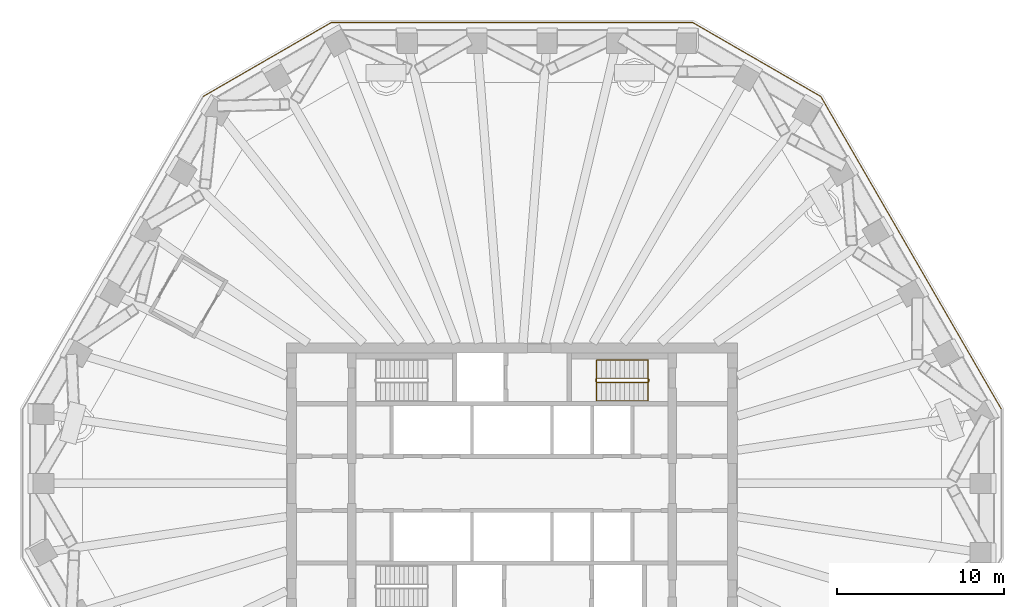
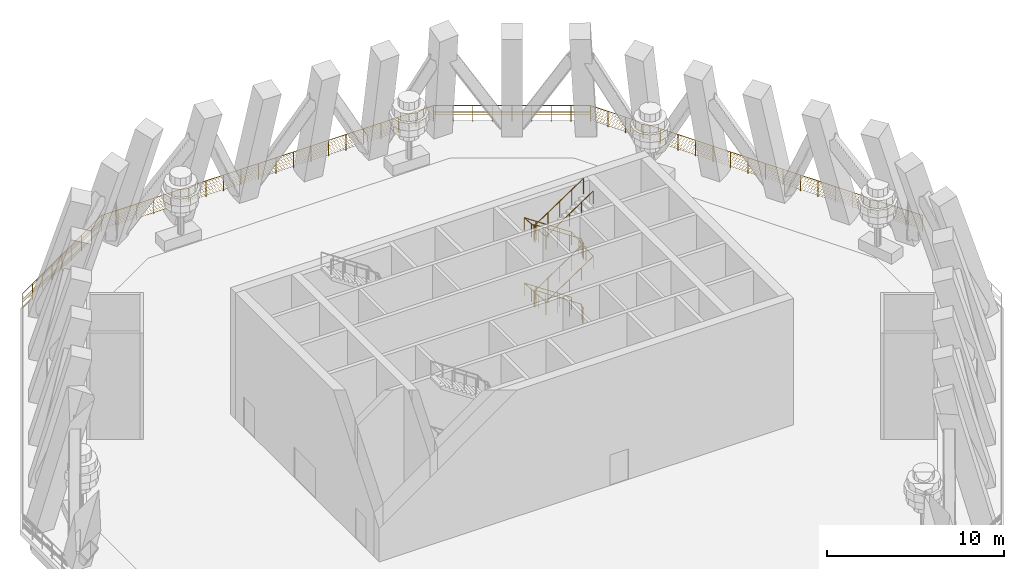
# One storey, part 9 of 11: 6 railings.
"""IFC4 building model written with IfcOpenShell, lengths in metres."""

import ifcopenshell
import ifcopenshell.guid

model = None  # the IFC model being written
_history = None  # IfcOwnerHistory: only IFC2X3 demands one
_inside = {}  # id of a spatial element -> (the spatial element, [elements in it])
_under = {}  # id of a project, library or spatial element -> (it, [spatial elements below it])
_declared = {}  # id of a project -> (the project, [libraries it declares])
_typed = {}  # id of a type object -> (the type object, [elements of that type])
_made_of = {}  # id of a material, layer set ... -> (it, [elements and type objects made of it])


def new_model(schema):
    """Start an empty IFC model of exactly this schema.

    Asked for "IFC4X3", IfcOpenShell would pick the latest addendum, in which some entities
    have other attributes; the version numbers below select the first issue.
    IFC2X3 requires an IfcOwnerHistory on every rooted entity: one is made here for all.
    """
    global model, _history
    if schema == "IFC4X3":
        model = ifcopenshell.file(schema_version=(4, 3, 0, 0))
    else:
        model = ifcopenshell.file(schema=schema)
    _inside.clear()
    _under.clear()
    _declared.clear()
    _typed.clear()
    _made_of.clear()
    _history = None
    if model.schema == "IFC2X3":
        org = make("IfcOrganization", Name="unknown")
        user = make(
            "IfcPersonAndOrganization",
            ThePerson=make("IfcPerson", FamilyName="unknown"),
            TheOrganization=org,
        )
        app = make(
            "IfcApplication",
            ApplicationDeveloper=org,
            Version="unknown",
            ApplicationFullName="unknown",
            ApplicationIdentifier="unknown",
        )
        _history = make(
            "IfcOwnerHistory",
            OwningUser=user,
            OwningApplication=app,
            ChangeAction="ADDED",
            CreationDate=0,
        )
    return model


def make(cls, **values):
    """One entity of the class cls with the attributes given. An attribute that is None is left unset."""
    return model.create_entity(
        cls, **{name: value for name, value in values.items() if value is not None}
    )


def rooted(cls, **values):
    """An entity with a GlobalId (a new one), such as an element, a storey or a relation."""
    return make(cls, GlobalId=ifcopenshell.guid.new(), OwnerHistory=_history, **values)


def si_unit(unit_type, name, prefix=None):
    """IfcSIUnit, for example si_unit("LENGTHUNIT", "METRE", prefix="MILLI")."""
    return make("IfcSIUnit", UnitType=unit_type, Prefix=prefix, Name=name)


def assignment(units):
    """IfcUnitAssignment: the units of a project."""
    return None if units is None else make("IfcUnitAssignment", Units=units)


def point(xyz):
    """IfcCartesianPoint."""
    return None if xyz is None else make("IfcCartesianPoint", Coordinates=xyz)


def direction(xyz):
    """IfcDirection."""
    return None if xyz is None else make("IfcDirection", DirectionRatios=xyz)


def frame(location, z_axis=None, x_axis=None):
    """IfcAxis2Placement3D, a coordinate frame: its origin and axes. An axis left out is left unset."""
    return make(
        "IfcAxis2Placement3D",
        Location=point(location),
        Axis=direction(z_axis),
        RefDirection=direction(x_axis),
    )


def frame_2d(location, x_axis=None):
    """IfcAxis2Placement2D, a coordinate frame in the plane: its origin and x axis."""
    return make(
        "IfcAxis2Placement2D", Location=point(location), RefDirection=direction(x_axis)
    )


def origin():
    """The frame at (0, 0, 0) with its axes left unset."""
    return frame((0.0, 0.0, 0.0))


def origin_2d():
    """The frame at (0, 0) in the plane with its x axis left unset."""
    return frame_2d((0.0, 0.0))


def place(relative_to, where):
    """IfcLocalPlacement: puts the frame where relative to a parent placement (None: the world)."""
    return make(
        "IfcLocalPlacement", PlacementRelTo=relative_to, RelativePlacement=where
    )


def context(
    kind, dimensions, precision=None, world=None, true_north=None, identifier=None
):
    """IfcGeometricRepresentationContext, for example the 3D "Model" context."""
    return make(
        "IfcGeometricRepresentationContext",
        ContextIdentifier=identifier,
        ContextType=kind,
        CoordinateSpaceDimension=dimensions,
        Precision=precision,
        WorldCoordinateSystem=world,
        TrueNorth=true_north,
    )


def subcontext(parent, identifier, kind, view, scale=None):
    """IfcGeometricRepresentationSubContext, for example "Body" below "Model"."""
    return make(
        "IfcGeometricRepresentationSubContext",
        ContextIdentifier=identifier,
        ContextType=kind,
        ParentContext=parent,
        TargetScale=scale,
        TargetView=view,
    )


def project(units=None, contexts=None):
    """IfcProject with its units and contexts."""
    return rooted(
        "IfcProject",
        Name="project",
        RepresentationContexts=contexts,
        UnitsInContext=assignment(units),
    )


def spatial(cls, under=None, at=None, **own):
    """A site, building, storey or space (cls), placed at a placement, below another one or the project."""
    s = rooted(cls, ObjectPlacement=at, **own)
    if under is not None:
        _under.setdefault(under.id(), (under, []))[1].append(s)
    return s


def profile(cls, at=None, kind="AREA", **sizes):
    """A parametric profile (cls). Its sizes go by their IFC names, for example OverallWidth=200.0."""
    return make(cls, ProfileType=kind, Position=at, **sizes)


def circle(**sizes):
    """IfcCircleProfileDef."""
    return profile("IfcCircleProfileDef", **sizes)


def extrude(swept, where, along, depth):
    """IfcExtrudedAreaSolid: the profile swept, set in the frame where, extruded along a direction by depth."""
    return make(
        "IfcExtrudedAreaSolid",
        SweptArea=swept,
        Position=where,
        ExtrudedDirection=direction(along),
        Depth=depth,
    )


def shape(context_of_items, identifier, shape_type, items):
    """IfcShapeRepresentation: the items that make up one representation, for example the "Body"."""
    return make(
        "IfcShapeRepresentation",
        ContextOfItems=context_of_items,
        RepresentationIdentifier=identifier,
        RepresentationType=shape_type,
        Items=items,
    )


def material(Name=None, Category=None):
    """IfcMaterial."""
    return make("IfcMaterial", Name=Name, Category=Category)


def made_of(thing, what):
    """Note that an element or type object is made of a material, layer set ...; save() writes the relation."""
    if what is not None:
        _made_of.setdefault(what.id(), (what, []))[1].append(thing)
    return thing


def type_object(cls, material=None, **own):
    """A type object (cls), such as IfcWallType, which elements share."""
    return made_of(rooted(cls, **own), material)


def element(
    cls,
    number,
    at=None,
    inside=None,
    cuts=None,
    type_object=None,
    material=None,
    context=None,
    identifier="Body",
    shape_type=None,
    held_by="IfcProductDefinitionShape",
    body=None,
    shapes=None,
    **own,
):
    """One element of the class cls, such as IfcWall. Its Tag is "e" and its number.

    at: its placement. inside: the storey or other place that contains it. cuts: it is an
    opening in that element (IfcRelVoidsElement). A single representation is given by context,
    identifier, shape_type and body (its items); several are given by shapes. held_by: the class
    of the entity that holds the representations. save() writes the other relations.
    """
    e = rooted(cls, Tag="e%d" % number, ObjectPlacement=at, **own)
    if body is not None:
        shapes = [shape(context, identifier, shape_type, body)]
    if shapes is not None:
        e.Representation = make(held_by, Representations=shapes)
    if inside is not None:
        _inside.setdefault(inside.id(), (inside, []))[1].append(e)
    if cuts is not None:
        rooted(
            "IfcRelVoidsElement", RelatingBuildingElement=cuts, RelatedOpeningElement=e
        )
    if type_object is not None:
        _typed.setdefault(type_object.id(), (type_object, []))[1].append(e)
    return made_of(e, material)


def aggregate(whole, parts):
    """IfcRelAggregates: a whole, such as a stair, and the parts it consists of."""
    return rooted("IfcRelAggregates", RelatingObject=whole, RelatedObjects=parts)


def save(model, path):
    """Write the relations noted so far, then the file.

    IfcRelAggregates (storeys below a building ...), IfcRelContainedInSpatialStructure (elements
    in a storey), IfcRelDefinesByType, IfcRelAssociatesMaterial and IfcRelDeclares: one each for
    every whole, place, type object, material and project.
    """
    for whole, parts in _under.values():
        aggregate(whole, parts)
    for where, things in _inside.values():
        rooted(
            "IfcRelContainedInSpatialStructure",
            RelatedElements=things,
            RelatingStructure=where,
        )
    for kind, things in _typed.values():
        rooted("IfcRelDefinesByType", RelatedObjects=things, RelatingType=kind)
    for what, things in _made_of.values():
        rooted("IfcRelAssociatesMaterial", RelatedObjects=things, RelatingMaterial=what)
    for by, libraries in _declared.values():
        rooted("IfcRelDeclares", RelatingContext=by, RelatedDefinitions=libraries)
    model.write(path)


model = new_model("IFC4")

# Units and contexts
model_context = context("Model", 3, precision=1e-05, world=origin(), true_north=direction((0.0, 1.0)))
body_context = subcontext(model_context, "Body", "Model", "MODEL_VIEW")
ifc_project = project(units=[si_unit("LENGTHUNIT", "METRE"), si_unit("AREAUNIT", "SQUARE_METRE"), si_unit("VOLUMEUNIT", "CUBIC_METRE"), si_unit("PLANEANGLEUNIT", "RADIAN"), si_unit("MASSUNIT", "GRAM", prefix="KILO")], contexts=[model_context])

# Site, building, storey
site_placement = place(None, origin())
site = spatial("IfcSite", under=ifc_project, at=site_placement, CompositionType="ELEMENT")
building_placement = place(site_placement, origin())
building = spatial("IfcBuilding", under=site, at=building_placement, Name="Frailejon Research Tower", CompositionType="ELEMENT")
storey_placement = place(building_placement, frame((0.0, 0.0, 202.39990234375)))
storey = spatial("IfcBuildingStorey", under=building, at=storey_placement, Name="L44", CompositionType="ELEMENT", Elevation=202.39990234375)

# Railings
ifc_material_1 = material(Name="Stainless steel", Category="steel")
railing_type_1 = type_object("IfcRailingType", Name="Stair guard 1100", PredefinedType="GUARDRAIL", material=ifc_material_1)
railing_1_placement = place(storey_placement, frame((8.199951171875, 6.10009765625, 0.0)))
element("IfcRailing", 1, at=railing_1_placement, inside=storey, type_object=railing_type_1, Name="L44 ST3 stair guard 1", PredefinedType="GUARDRAIL", context=body_context, shape_type="SweptSolid", body=[
    extrude(circle(Radius=0.02392578125, at=origin_2d()), frame((0.0, 0.0, 1.076171875), z_axis=(0.0, 1.0, 0.0), x_axis=(-1.0, 0.0, 0.0)), (0.0, 0.0, 1.0), 0.14990234375),
    extrude(circle(Radius=0.02392578125, at=origin_2d()), frame((0.0, 0.14990234375, 1.076171875), z_axis=(-0.249726431254, 0.249726431254, 0.935560483917), x_axis=(-0.707106781187, -0.707106781187, 0.0)), (0.0, 0.0, 1.0), 0.200439453125),
    extrude(circle(Radius=0.02392578125, at=origin_2d()), frame((-0.050048828125, 0.199951171875, 1.263671875), z_axis=(-0.830893310487, 0.0, 0.556431762742), x_axis=(0.0, -1.0, 0.0)), (0.0, 0.0, 1.0), 3.70654296875),
    extrude(circle(Radius=0.02392578125, at=origin_2d()), frame((-3.1298828125, 0.199951171875, 3.326171875), z_axis=(-0.707106781187, -0.707106781187, 0.0), x_axis=(0.707106781187, -0.707106781187, 0.0)), (0.0, 0.0, 1.0), 0.07080078125),
    extrude(circle(Radius=0.02392578125, at=origin_2d()), frame((-3.179931640625, 0.14990234375, 3.326171875), z_axis=(0.0, -1.0, 0.0), x_axis=(1.0, 0.0, 0.0)), (0.0, 0.0, 1.0), 0.14990234375),
    extrude(circle(Radius=0.02392578125, at=origin_2d()), frame((-3.179931640625, 0.0, 3.326171875), z_axis=(0.249726431254, -0.249726431254, 0.935560483917), x_axis=(0.707106781187, 0.707106781187, 0.0)), (0.0, 0.0, 1.0), 0.200439453125),
    extrude(circle(Radius=0.02392578125, at=origin_2d()), frame((-3.1298828125, -0.050048828125, 3.513671875), z_axis=(0.830893310487, 0.0, 0.556431762742), x_axis=(0.0, 1.0, 0.0)), (0.0, 0.0, 1.0), 3.70654296875),
    extrude(circle(Radius=0.02392578125, at=origin_2d()), frame((-0.050048828125, -0.050048828125, 5.576171875), z_axis=(0.707106781187, 0.707106781187, 0.0), x_axis=(-0.707106781187, 0.707106781187, 0.0)), (0.0, 0.0, 1.0), 0.07080078125),
    extrude(circle(Radius=0.02392578125, at=origin_2d()), frame((0.0, 0.0, 5.576171875), z_axis=(0.0, 1.0, 0.0), x_axis=(-1.0, 0.0, 0.0)), (0.0, 0.0, 1.0), 0.14990234375),
    extrude(circle(Radius=0.02392578125, at=origin_2d()), frame((0.0, 0.14990234375, 5.576171875), z_axis=(-0.249726431254, 0.249726431254, 0.935560483917), x_axis=(-0.707106781187, -0.707106781187, 0.0)), (0.0, 0.0, 1.0), 0.200439453125),
    extrude(circle(Radius=0.02392578125, at=origin_2d()), frame((-0.050048828125, 0.199951171875, 5.763671875), z_axis=(-0.830893310487, 0.0, 0.556431762742), x_axis=(0.0, -1.0, 0.0)), (0.0, 0.0, 1.0), 3.70654296875),
    extrude(circle(Radius=0.02392578125, at=origin_2d()), frame((-3.1298828125, 0.199951171875, 7.826171875), z_axis=(-0.707106781187, -0.707106781187, 0.0), x_axis=(0.707106781187, -0.707106781187, 0.0)), (0.0, 0.0, 1.0), 0.07080078125),
    extrude(circle(Radius=0.02392578125, at=origin_2d()), frame((-3.179931640625, 0.14990234375, 7.826171875), z_axis=(0.0, -1.0, 0.0), x_axis=(1.0, 0.0, 0.0)), (0.0, 0.0, 1.0), 0.14990234375),
    extrude(circle(Radius=0.02392578125, at=origin_2d()), frame((-3.179931640625, 0.0, 7.826171875), z_axis=(0.249726431254, -0.249726431254, 0.935560483917), x_axis=(0.707106781187, 0.707106781187, 0.0)), (0.0, 0.0, 1.0), 0.200439453125),
    extrude(circle(Radius=0.02392578125, at=origin_2d()), frame((-3.1298828125, -0.050048828125, 8.013671875), z_axis=(0.830893310487, 0.0, 0.556431762742), x_axis=(0.0, 1.0, 0.0)), (0.0, 0.0, 1.0), 3.70654296875),
    extrude(circle(Radius=0.02099609375, at=origin_2d()), origin(), (0.0, 0.0, 1.0), 1.052001953125),
    extrude(circle(Radius=0.02099609375, at=origin_2d()), frame((0.0, 0.14990234375, 0.0)), (0.0, 0.0, 1.0), 1.052001953125),
    extrude(circle(Radius=0.02099609375, at=origin_2d()), frame((-0.050048828125, 0.199951171875, 0.1875)), (0.0, 0.0, 1.0), 1.052001953125),
    extrude(circle(Radius=0.02099609375, at=origin_2d()), frame((-0.820068359375, 0.199951171875, 0.703125)), (0.0, 0.0, 1.0), 1.052001953125),
    extrude(circle(Radius=0.02099609375, at=origin_2d()), frame((-1.58984375, 0.199951171875, 1.21875)), (0.0, 0.0, 1.0), 1.052001953125),
    extrude(circle(Radius=0.02099609375, at=origin_2d()), frame((-2.35986328125, 0.199951171875, 1.734375)), (0.0, 0.0, 1.0), 1.052001953125),
    extrude(circle(Radius=0.02099609375, at=origin_2d()), frame((-3.1298828125, 0.199951171875, 2.25)), (0.0, 0.0, 1.0), 1.052001953125),
    extrude(circle(Radius=0.02099609375, at=origin_2d()), frame((-3.179931640625, 0.14990234375, 2.25)), (0.0, 0.0, 1.0), 1.052001953125),
    extrude(circle(Radius=0.02099609375, at=origin_2d()), frame((-3.179931640625, 0.0, 2.25)), (0.0, 0.0, 1.0), 1.052001953125),
    extrude(circle(Radius=0.02099609375, at=origin_2d()), frame((-3.1298828125, -0.050048828125, 2.4375)), (0.0, 0.0, 1.0), 1.052001953125),
    extrude(circle(Radius=0.02099609375, at=origin_2d()), frame((-2.35986328125, -0.050048828125, 2.953125)), (0.0, 0.0, 1.0), 1.052001953125),
    extrude(circle(Radius=0.02099609375, at=origin_2d()), frame((-1.58984375, -0.050048828125, 3.46875)), (0.0, 0.0, 1.0), 1.052001953125),
    extrude(circle(Radius=0.02099609375, at=origin_2d()), frame((-0.820068359375, -0.050048828125, 3.984375)), (0.0, 0.0, 1.0), 1.052001953125),
    extrude(circle(Radius=0.02099609375, at=origin_2d()), frame((-0.050048828125, -0.050048828125, 4.5)), (0.0, 0.0, 1.0), 1.052001953125),
    extrude(circle(Radius=0.02099609375, at=origin_2d()), frame((0.0, 0.0, 4.5)), (0.0, 0.0, 1.0), 1.052001953125),
    extrude(circle(Radius=0.02099609375, at=origin_2d()), frame((0.0, 0.14990234375, 4.5)), (0.0, 0.0, 1.0), 1.052001953125),
    extrude(circle(Radius=0.02099609375, at=origin_2d()), frame((-0.050048828125, 0.199951171875, 4.6875)), (0.0, 0.0, 1.0), 1.052001953125),
    extrude(circle(Radius=0.02099609375, at=origin_2d()), frame((-0.820068359375, 0.199951171875, 5.203125)), (0.0, 0.0, 1.0), 1.052001953125),
    extrude(circle(Radius=0.02099609375, at=origin_2d()), frame((-1.58984375, 0.199951171875, 5.71875)), (0.0, 0.0, 1.0), 1.052001953125),
    extrude(circle(Radius=0.02099609375, at=origin_2d()), frame((-2.35986328125, 0.199951171875, 6.234375)), (0.0, 0.0, 1.0), 1.052001953125),
    extrude(circle(Radius=0.02099609375, at=origin_2d()), frame((-3.1298828125, 0.199951171875, 6.75)), (0.0, 0.0, 1.0), 1.052001953125),
    extrude(circle(Radius=0.02099609375, at=origin_2d()), frame((-3.179931640625, 0.14990234375, 6.75)), (0.0, 0.0, 1.0), 1.052001953125),
    extrude(circle(Radius=0.02099609375, at=origin_2d()), frame((-3.179931640625, 0.0, 6.75)), (0.0, 0.0, 1.0), 1.052001953125),
    extrude(circle(Radius=0.02099609375, at=origin_2d()), frame((-3.1298828125, -0.050048828125, 6.9375)), (0.0, 0.0, 1.0), 1.052001953125),
    extrude(circle(Radius=0.02099609375, at=origin_2d()), frame((-2.35986328125, -0.050048828125, 7.453125)), (0.0, 0.0, 1.0), 1.052001953125),
    extrude(circle(Radius=0.02099609375, at=origin_2d()), frame((-1.58984375, -0.050048828125, 7.96875)), (0.0, 0.0, 1.0), 1.052001953125),
    extrude(circle(Radius=0.02099609375, at=origin_2d()), frame((-0.820068359375, -0.050048828125, 8.484375)), (0.0, 0.0, 1.0), 1.052001953125),
    extrude(circle(Radius=0.02099609375, at=origin_2d()), frame((-0.050048828125, -0.050048828125, 9.0)), (0.0, 0.0, 1.0), 1.052001953125),
])
ifc_material_2 = material(Name="Stainless steel", Category="steel")
railing_type_2 = type_object("IfcRailingType", Name="Stair handrail 900", PredefinedType="HANDRAIL", material=ifc_material_2)
railing_2_placement = place(storey_placement, frame((8.14990234375, 7.39990234375, 0.1875)))
element("IfcRailing", 2, at=railing_2_placement, inside=storey, type_object=railing_type_2, Name="L44 ST3 stair handrail 1", PredefinedType="HANDRAIL", context=body_context, shape_type="SweptSolid", body=[
    extrude(circle(Radius=0.02392578125, at=origin_2d()), frame((0.0, 0.0, 0.8759765625), z_axis=(-0.830893310487, 0.0, 0.556431762742), x_axis=(0.0, -1.0, 0.0)), (0.0, 0.0, 1.0), 3.70654296875),
    extrude(circle(Radius=0.02392578125, at=origin_2d()), frame((-3.079833984375, 0.0, 2.9384765625), z_axis=(0.0, -0.997084218397, 0.07630898652), x_axis=(1.0, 0.0, 0.0)), (0.0, 0.0, 1.0), 2.45703125),
    extrude(circle(Radius=0.02392578125, at=origin_2d()), frame((-3.079833984375, -2.449951171875, 3.1259765625), z_axis=(0.830893310487, 0.0, 0.556431762742), x_axis=(0.0, 1.0, 0.0)), (0.0, 0.0, 1.0), 3.70654296875),
    extrude(circle(Radius=0.02392578125, at=origin_2d()), frame((0.0, -2.449951171875, 5.1884765625), z_axis=(0.0, 0.997084218397, 0.07630898652), x_axis=(-1.0, 0.0, 0.0)), (0.0, 0.0, 1.0), 2.45703125),
    extrude(circle(Radius=0.02392578125, at=origin_2d()), frame((0.0, 0.0, 5.3759765625), z_axis=(-0.830893310487, 0.0, 0.556431762742), x_axis=(0.0, -1.0, 0.0)), (0.0, 0.0, 1.0), 3.70654296875),
    extrude(circle(Radius=0.02392578125, at=origin_2d()), frame((-3.079833984375, 0.0, 7.4384765625), z_axis=(0.0, -0.997084218397, 0.07630898652), x_axis=(1.0, 0.0, 0.0)), (0.0, 0.0, 1.0), 2.45703125),
    extrude(circle(Radius=0.02392578125, at=origin_2d()), frame((-3.079833984375, -2.449951171875, 7.6259765625), z_axis=(0.830893310487, 0.0, 0.556431762742), x_axis=(0.0, 1.0, 0.0)), (0.0, 0.0, 1.0), 3.70654296875),
    extrude(circle(Radius=0.02099609375, at=origin_2d()), origin(), (0.0, 0.0, 1.0), 0.851806640625),
    extrude(circle(Radius=0.02099609375, at=origin_2d()), frame((-0.77001953125, 0.0, 0.515625)), (0.0, 0.0, 1.0), 0.851806640625),
    extrude(circle(Radius=0.02099609375, at=origin_2d()), frame((-1.5400390625, 0.0, 1.03125)), (0.0, 0.0, 1.0), 0.851806640625),
    extrude(circle(Radius=0.02099609375, at=origin_2d()), frame((-2.309814453125, 0.0, 1.546875)), (0.0, 0.0, 1.0), 0.851806640625),
    extrude(circle(Radius=0.02099609375, at=origin_2d()), frame((-3.079833984375, 0.0, 2.0625)), (0.0, 0.0, 1.0), 0.851806640625),
    extrude(circle(Radius=0.02099609375, at=origin_2d()), frame((-3.079833984375, -0.816650390625, 2.125)), (0.0, 0.0, 1.0), 0.851806640625),
    extrude(circle(Radius=0.02099609375, at=origin_2d()), frame((-3.079833984375, -1.63330078125, 2.1875)), (0.0, 0.0, 1.0), 0.851806640625),
    extrude(circle(Radius=0.02099609375, at=origin_2d()), frame((-3.079833984375, -2.449951171875, 2.25)), (0.0, 0.0, 1.0), 0.851806640625),
    extrude(circle(Radius=0.02099609375, at=origin_2d()), frame((-2.309814453125, -2.449951171875, 2.765625)), (0.0, 0.0, 1.0), 0.851806640625),
    extrude(circle(Radius=0.02099609375, at=origin_2d()), frame((-1.5400390625, -2.449951171875, 3.28125)), (0.0, 0.0, 1.0), 0.851806640625),
    extrude(circle(Radius=0.02099609375, at=origin_2d()), frame((-0.77001953125, -2.449951171875, 3.796875)), (0.0, 0.0, 1.0), 0.851806640625),
    extrude(circle(Radius=0.02099609375, at=origin_2d()), frame((0.0, -2.449951171875, 4.3125)), (0.0, 0.0, 1.0), 0.851806640625),
    extrude(circle(Radius=0.02099609375, at=origin_2d()), frame((0.0, -1.63330078125, 4.375)), (0.0, 0.0, 1.0), 0.851806640625),
    extrude(circle(Radius=0.02099609375, at=origin_2d()), frame((0.0, -0.816650390625, 4.4375)), (0.0, 0.0, 1.0), 0.851806640625),
    extrude(circle(Radius=0.02099609375, at=origin_2d()), frame((0.0, 0.0, 4.5)), (0.0, 0.0, 1.0), 0.851806640625),
    extrude(circle(Radius=0.02099609375, at=origin_2d()), frame((-0.77001953125, 0.0, 5.015625)), (0.0, 0.0, 1.0), 0.851806640625),
    extrude(circle(Radius=0.02099609375, at=origin_2d()), frame((-1.5400390625, 0.0, 5.53125)), (0.0, 0.0, 1.0), 0.851806640625),
    extrude(circle(Radius=0.02099609375, at=origin_2d()), frame((-2.309814453125, 0.0, 6.046875)), (0.0, 0.0, 1.0), 0.851806640625),
    extrude(circle(Radius=0.02099609375, at=origin_2d()), frame((-3.079833984375, 0.0, 6.5625)), (0.0, 0.0, 1.0), 0.851806640625),
    extrude(circle(Radius=0.02099609375, at=origin_2d()), frame((-3.079833984375, -0.816650390625, 6.625)), (0.0, 0.0, 1.0), 0.851806640625),
    extrude(circle(Radius=0.02099609375, at=origin_2d()), frame((-3.079833984375, -1.63330078125, 6.6875)), (0.0, 0.0, 1.0), 0.851806640625),
    extrude(circle(Radius=0.02099609375, at=origin_2d()), frame((-3.079833984375, -2.449951171875, 6.75)), (0.0, 0.0, 1.0), 0.851806640625),
    extrude(circle(Radius=0.02099609375, at=origin_2d()), frame((-2.309814453125, -2.449951171875, 7.265625)), (0.0, 0.0, 1.0), 0.851806640625),
    extrude(circle(Radius=0.02099609375, at=origin_2d()), frame((-1.5400390625, -2.449951171875, 7.78125)), (0.0, 0.0, 1.0), 0.851806640625),
    extrude(circle(Radius=0.02099609375, at=origin_2d()), frame((-0.77001953125, -2.449951171875, 8.296875)), (0.0, 0.0, 1.0), 0.851806640625),
    extrude(circle(Radius=0.02099609375, at=origin_2d()), frame((0.0, -2.449951171875, 8.8125)), (0.0, 0.0, 1.0), 0.851806640625),
])
ifc_material_3 = material(Name="Stainless steel posts, rail and cable infill", Category="steel")
railing_type_3 = type_object("IfcRailingType", Name="Terrace rail guard 1100", PredefinedType="GUARDRAIL", material=ifc_material_3)
railing_3_placement = place(storey_placement, frame((29.321533203125, 4.430908203125, 0.0)))
element("IfcRailing", 3, at=railing_3_placement, inside=storey, type_object=railing_type_3, Name="Wind floor terrace guard L44 2", PredefinedType="GUARDRAIL", context=body_context, shape_type="SweptSolid", body=[
    extrude(circle(Radius=0.02392578125, at=origin_2d()), frame((0.0, 0.0, 1.080078125), z_axis=(-0.500004924955, 0.866022560341, 0.0), x_axis=(-0.866022560341, -0.500004924955, 0.0)), (0.0, 0.0, 1.0), 21.646728515625),
    extrude(circle(Radius=0.005859375, at=origin_2d()), frame((0.0, 0.0, 0.097900390625), z_axis=(-0.500004924955, 0.866022560341, 0.0), x_axis=(-0.866022560341, -0.500004924955, 0.0)), (0.0, 0.0, 1.0), 21.646728515625),
    extrude(circle(Radius=0.005859375, at=origin_2d()), frame((0.0, 0.0, 0.195556640625), z_axis=(-0.500004924955, 0.866022560341, 0.0), x_axis=(-0.866022560341, -0.500004924955, 0.0)), (0.0, 0.0, 1.0), 21.646728515625),
    extrude(circle(Radius=0.005859375, at=origin_2d()), frame((0.0, 0.0, 0.29345703125), z_axis=(-0.500004924955, 0.866022560341, 0.0), x_axis=(-0.866022560341, -0.500004924955, 0.0)), (0.0, 0.0, 1.0), 21.646728515625),
    extrude(circle(Radius=0.005859375, at=origin_2d()), frame((0.0, 0.0, 0.391357421875), z_axis=(-0.500004924955, 0.866022560341, 0.0), x_axis=(-0.866022560341, -0.500004924955, 0.0)), (0.0, 0.0, 1.0), 21.646728515625),
    extrude(circle(Radius=0.005859375, at=origin_2d()), frame((0.0, 0.0, 0.489013671875), z_axis=(-0.500004924955, 0.866022560341, 0.0), x_axis=(-0.866022560341, -0.500004924955, 0.0)), (0.0, 0.0, 1.0), 21.646728515625),
    extrude(circle(Radius=0.005859375, at=origin_2d()), frame((0.0, 0.0, 0.5869140625), z_axis=(-0.500004924955, 0.866022560341, 0.0), x_axis=(-0.866022560341, -0.500004924955, 0.0)), (0.0, 0.0, 1.0), 21.646728515625),
    extrude(circle(Radius=0.005859375, at=origin_2d()), frame((0.0, 0.0, 0.684814453125), z_axis=(-0.500004924955, 0.866022560341, 0.0), x_axis=(-0.866022560341, -0.500004924955, 0.0)), (0.0, 0.0, 1.0), 21.646728515625),
    extrude(circle(Radius=0.005859375, at=origin_2d()), frame((0.0, 0.0, 0.782470703125), z_axis=(-0.500004924955, 0.866022560341, 0.0), x_axis=(-0.866022560341, -0.500004924955, 0.0)), (0.0, 0.0, 1.0), 21.646728515625),
    extrude(circle(Radius=0.005859375, at=origin_2d()), frame((0.0, 0.0, 0.88037109375), z_axis=(-0.500004924955, 0.866022560341, 0.0), x_axis=(-0.866022560341, -0.500004924955, 0.0)), (0.0, 0.0, 1.0), 21.646728515625),
    extrude(circle(Radius=0.005859375, at=origin_2d()), frame((0.0, 0.0, 0.978271484375), z_axis=(-0.500004924955, 0.866022560341, 0.0), x_axis=(-0.866022560341, -0.500004924955, 0.0)), (0.0, 0.0, 1.0), 21.646728515625),
    extrude(circle(Radius=0.02099609375, at=origin_2d()), origin(), (0.0, 0.0, 1.0), 1.052001953125),
    extrude(circle(Radius=0.02099609375, at=origin_2d()), frame((-0.569580078125, 0.986572265625, 0.0)), (0.0, 0.0, 1.0), 1.052001953125),
    extrude(circle(Radius=0.02099609375, at=origin_2d()), frame((-1.139404296875, 1.973388671875, 0.0)), (0.0, 0.0, 1.0), 1.052001953125),
    extrude(circle(Radius=0.02099609375, at=origin_2d()), frame((-1.708984375, 2.9599609375, 0.0)), (0.0, 0.0, 1.0), 1.052001953125),
    extrude(circle(Radius=0.02099609375, at=origin_2d()), frame((-2.278564453125, 3.946533203125, 0.0)), (0.0, 0.0, 1.0), 1.052001953125),
    extrude(circle(Radius=0.02099609375, at=origin_2d()), frame((-2.848388671875, 4.933349609375, 0.0)), (0.0, 0.0, 1.0), 1.052001953125),
    extrude(circle(Radius=0.02099609375, at=origin_2d()), frame((-3.41796875, 5.919921875, 0.0)), (0.0, 0.0, 1.0), 1.052001953125),
    extrude(circle(Radius=0.02099609375, at=origin_2d()), frame((-3.987548828125, 6.90673828125, 0.0)), (0.0, 0.0, 1.0), 1.052001953125),
    extrude(circle(Radius=0.02099609375, at=origin_2d()), frame((-4.557373046875, 7.893310546875, 0.0)), (0.0, 0.0, 1.0), 1.052001953125),
    extrude(circle(Radius=0.02099609375, at=origin_2d()), frame((-5.126953125, 8.8798828125, 0.0)), (0.0, 0.0, 1.0), 1.052001953125),
    extrude(circle(Radius=0.02099609375, at=origin_2d()), frame((-5.696533203125, 9.86669921875, 0.0)), (0.0, 0.0, 1.0), 1.052001953125),
    extrude(circle(Radius=0.02099609375, at=origin_2d()), frame((-6.26611328125, 10.853271484375, 0.0)), (0.0, 0.0, 1.0), 1.052001953125),
    extrude(circle(Radius=0.02099609375, at=origin_2d()), frame((-6.8359375, 11.83984375, 0.0)), (0.0, 0.0, 1.0), 1.052001953125),
    extrude(circle(Radius=0.02099609375, at=origin_2d()), frame((-7.405517578125, 12.82666015625, 0.0)), (0.0, 0.0, 1.0), 1.052001953125),
    extrude(circle(Radius=0.02099609375, at=origin_2d()), frame((-7.97509765625, 13.813232421875, 0.0)), (0.0, 0.0, 1.0), 1.052001953125),
    extrude(circle(Radius=0.02099609375, at=origin_2d()), frame((-8.544921875, 14.800048828125, 0.0)), (0.0, 0.0, 1.0), 1.052001953125),
    extrude(circle(Radius=0.02099609375, at=origin_2d()), frame((-9.114501953125, 15.78662109375, 0.0)), (0.0, 0.0, 1.0), 1.052001953125),
    extrude(circle(Radius=0.02099609375, at=origin_2d()), frame((-9.68408203125, 16.773193359375, 0.0)), (0.0, 0.0, 1.0), 1.052001953125),
    extrude(circle(Radius=0.02099609375, at=origin_2d()), frame((-10.25390625, 17.760009765625, 0.0)), (0.0, 0.0, 1.0), 1.052001953125),
    extrude(circle(Radius=0.02099609375, at=origin_2d()), frame((-10.823486328125, 18.74658203125, 0.0)), (0.0, 0.0, 1.0), 1.052001953125),
])
railing_4_placement = place(storey_placement, frame((18.498046875, 23.177490234375, 0.0)))
element("IfcRailing", 4, at=railing_4_placement, inside=storey, type_object=railing_type_3, Name="Wind floor terrace guard L44 3", PredefinedType="GUARDRAIL", context=body_context, shape_type="SweptSolid", body=[
    extrude(circle(Radius=0.02392578125, at=origin_2d()), frame((0.0, 0.0, 1.080078125), z_axis=(-0.86602043012, 0.50000861454, 0.0), x_axis=(-0.50000861454, -0.86602043012, 0.0)), (0.0, 0.0, 1.0), 8.862060546875),
    extrude(circle(Radius=0.005859375, at=origin_2d()), frame((0.0, 0.0, 0.097900390625), z_axis=(-0.86602043012, 0.50000861454, 0.0), x_axis=(-0.50000861454, -0.86602043012, 0.0)), (0.0, 0.0, 1.0), 8.862060546875),
    extrude(circle(Radius=0.005859375, at=origin_2d()), frame((0.0, 0.0, 0.195556640625), z_axis=(-0.86602043012, 0.50000861454, 0.0), x_axis=(-0.50000861454, -0.86602043012, 0.0)), (0.0, 0.0, 1.0), 8.862060546875),
    extrude(circle(Radius=0.005859375, at=origin_2d()), frame((0.0, 0.0, 0.29345703125), z_axis=(-0.86602043012, 0.50000861454, 0.0), x_axis=(-0.50000861454, -0.86602043012, 0.0)), (0.0, 0.0, 1.0), 8.862060546875),
    extrude(circle(Radius=0.005859375, at=origin_2d()), frame((0.0, 0.0, 0.391357421875), z_axis=(-0.86602043012, 0.50000861454, 0.0), x_axis=(-0.50000861454, -0.86602043012, 0.0)), (0.0, 0.0, 1.0), 8.862060546875),
    extrude(circle(Radius=0.005859375, at=origin_2d()), frame((0.0, 0.0, 0.489013671875), z_axis=(-0.86602043012, 0.50000861454, 0.0), x_axis=(-0.50000861454, -0.86602043012, 0.0)), (0.0, 0.0, 1.0), 8.862060546875),
    extrude(circle(Radius=0.005859375, at=origin_2d()), frame((0.0, 0.0, 0.5869140625), z_axis=(-0.86602043012, 0.50000861454, 0.0), x_axis=(-0.50000861454, -0.86602043012, 0.0)), (0.0, 0.0, 1.0), 8.862060546875),
    extrude(circle(Radius=0.005859375, at=origin_2d()), frame((0.0, 0.0, 0.684814453125), z_axis=(-0.86602043012, 0.50000861454, 0.0), x_axis=(-0.50000861454, -0.86602043012, 0.0)), (0.0, 0.0, 1.0), 8.862060546875),
    extrude(circle(Radius=0.005859375, at=origin_2d()), frame((0.0, 0.0, 0.782470703125), z_axis=(-0.86602043012, 0.50000861454, 0.0), x_axis=(-0.50000861454, -0.86602043012, 0.0)), (0.0, 0.0, 1.0), 8.862060546875),
    extrude(circle(Radius=0.005859375, at=origin_2d()), frame((0.0, 0.0, 0.88037109375), z_axis=(-0.86602043012, 0.50000861454, 0.0), x_axis=(-0.50000861454, -0.86602043012, 0.0)), (0.0, 0.0, 1.0), 8.862060546875),
    extrude(circle(Radius=0.005859375, at=origin_2d()), frame((0.0, 0.0, 0.978271484375), z_axis=(-0.86602043012, 0.50000861454, 0.0), x_axis=(-0.50000861454, -0.86602043012, 0.0)), (0.0, 0.0, 1.0), 8.862060546875),
    extrude(circle(Radius=0.02099609375, at=origin_2d()), origin(), (0.0, 0.0, 1.0), 1.052001953125),
    extrude(circle(Radius=0.02099609375, at=origin_2d()), frame((-0.95947265625, 0.553955078125, 0.0)), (0.0, 0.0, 1.0), 1.052001953125),
    extrude(circle(Radius=0.02099609375, at=origin_2d()), frame((-1.918701171875, 1.10791015625, 0.0)), (0.0, 0.0, 1.0), 1.052001953125),
    extrude(circle(Radius=0.02099609375, at=origin_2d()), frame((-2.8779296875, 1.66162109375, 0.0)), (0.0, 0.0, 1.0), 1.052001953125),
    extrude(circle(Radius=0.02099609375, at=origin_2d()), frame((-3.83740234375, 2.215576171875, 0.0)), (0.0, 0.0, 1.0), 1.052001953125),
    extrude(circle(Radius=0.02099609375, at=origin_2d()), frame((-4.796875, 2.76953125, 0.0)), (0.0, 0.0, 1.0), 1.052001953125),
    extrude(circle(Radius=0.02099609375, at=origin_2d()), frame((-5.756103515625, 3.3232421875, 0.0)), (0.0, 0.0, 1.0), 1.052001953125),
    extrude(circle(Radius=0.02099609375, at=origin_2d()), frame((-6.71533203125, 3.877197265625, 0.0)), (0.0, 0.0, 1.0), 1.052001953125),
    extrude(circle(Radius=0.02099609375, at=origin_2d()), frame((-7.6748046875, 4.43115234375, 0.0)), (0.0, 0.0, 1.0), 1.052001953125),
])
railing_5_placement = place(storey_placement, frame((10.8232421875, 27.608642578125, 0.0)))
element("IfcRailing", 5, at=railing_5_placement, inside=storey, type_object=railing_type_3, Name="Wind floor terrace guard L44 4", PredefinedType="GUARDRAIL", context=body_context, shape_type="SweptSolid", body=[
    extrude(circle(Radius=0.02392578125, at=origin_2d()), frame((0.0, 0.0, 1.080078125), z_axis=(-1.0, 0.0, 0.0), x_axis=(0.0, -1.0, 0.0)), (0.0, 0.0, 1.0), 21.646484375),
    extrude(circle(Radius=0.005859375, at=origin_2d()), frame((0.0, 0.0, 0.097900390625), z_axis=(-1.0, 0.0, 0.0), x_axis=(0.0, -1.0, 0.0)), (0.0, 0.0, 1.0), 21.646484375),
    extrude(circle(Radius=0.005859375, at=origin_2d()), frame((0.0, 0.0, 0.195556640625), z_axis=(-1.0, 0.0, 0.0), x_axis=(0.0, -1.0, 0.0)), (0.0, 0.0, 1.0), 21.646484375),
    extrude(circle(Radius=0.005859375, at=origin_2d()), frame((0.0, 0.0, 0.29345703125), z_axis=(-1.0, 0.0, 0.0), x_axis=(0.0, -1.0, 0.0)), (0.0, 0.0, 1.0), 21.646484375),
    extrude(circle(Radius=0.005859375, at=origin_2d()), frame((0.0, 0.0, 0.391357421875), z_axis=(-1.0, 0.0, 0.0), x_axis=(0.0, -1.0, 0.0)), (0.0, 0.0, 1.0), 21.646484375),
    extrude(circle(Radius=0.005859375, at=origin_2d()), frame((0.0, 0.0, 0.489013671875), z_axis=(-1.0, 0.0, 0.0), x_axis=(0.0, -1.0, 0.0)), (0.0, 0.0, 1.0), 21.646484375),
    extrude(circle(Radius=0.005859375, at=origin_2d()), frame((0.0, 0.0, 0.5869140625), z_axis=(-1.0, 0.0, 0.0), x_axis=(0.0, -1.0, 0.0)), (0.0, 0.0, 1.0), 21.646484375),
    extrude(circle(Radius=0.005859375, at=origin_2d()), frame((0.0, 0.0, 0.684814453125), z_axis=(-1.0, 0.0, 0.0), x_axis=(0.0, -1.0, 0.0)), (0.0, 0.0, 1.0), 21.646484375),
    extrude(circle(Radius=0.005859375, at=origin_2d()), frame((0.0, 0.0, 0.782470703125), z_axis=(-1.0, 0.0, 0.0), x_axis=(0.0, -1.0, 0.0)), (0.0, 0.0, 1.0), 21.646484375),
    extrude(circle(Radius=0.005859375, at=origin_2d()), frame((0.0, 0.0, 0.88037109375), z_axis=(-1.0, 0.0, 0.0), x_axis=(0.0, -1.0, 0.0)), (0.0, 0.0, 1.0), 21.646484375),
    extrude(circle(Radius=0.005859375, at=origin_2d()), frame((0.0, 0.0, 0.978271484375), z_axis=(-1.0, 0.0, 0.0), x_axis=(0.0, -1.0, 0.0)), (0.0, 0.0, 1.0), 21.646484375),
    extrude(circle(Radius=0.02099609375, at=origin_2d()), origin(), (0.0, 0.0, 1.0), 1.052001953125),
    extrude(circle(Radius=0.02099609375, at=origin_2d()), frame((-1.139404296875, 0.0, 0.0)), (0.0, 0.0, 1.0), 1.052001953125),
    extrude(circle(Radius=0.02099609375, at=origin_2d()), frame((-2.278564453125, 0.0, 0.0)), (0.0, 0.0, 1.0), 1.052001953125),
    extrude(circle(Radius=0.02099609375, at=origin_2d()), frame((-3.41796875, 0.0, 0.0)), (0.0, 0.0, 1.0), 1.052001953125),
    extrude(circle(Radius=0.02099609375, at=origin_2d()), frame((-4.55712890625, 0.0, 0.0)), (0.0, 0.0, 1.0), 1.052001953125),
    extrude(circle(Radius=0.02099609375, at=origin_2d()), frame((-5.696533203125, 0.0, 0.0)), (0.0, 0.0, 1.0), 1.052001953125),
    extrude(circle(Radius=0.02099609375, at=origin_2d()), frame((-6.835693359375, 0.0, 0.0)), (0.0, 0.0, 1.0), 1.052001953125),
    extrude(circle(Radius=0.02099609375, at=origin_2d()), frame((-7.97509765625, 0.0, 0.0)), (0.0, 0.0, 1.0), 1.052001953125),
    extrude(circle(Radius=0.02099609375, at=origin_2d()), frame((-9.1142578125, 0.0, 0.0)), (0.0, 0.0, 1.0), 1.052001953125),
    extrude(circle(Radius=0.02099609375, at=origin_2d()), frame((-10.253662109375, 0.0, 0.0)), (0.0, 0.0, 1.0), 1.052001953125),
    extrude(circle(Radius=0.02099609375, at=origin_2d()), frame((-11.392822265625, 0.0, 0.0)), (0.0, 0.0, 1.0), 1.052001953125),
    extrude(circle(Radius=0.02099609375, at=origin_2d()), frame((-12.5322265625, 0.0, 0.0)), (0.0, 0.0, 1.0), 1.052001953125),
    extrude(circle(Radius=0.02099609375, at=origin_2d()), frame((-13.67138671875, 0.0, 0.0)), (0.0, 0.0, 1.0), 1.052001953125),
    extrude(circle(Radius=0.02099609375, at=origin_2d()), frame((-14.810791015625, 0.0, 0.0)), (0.0, 0.0, 1.0), 1.052001953125),
    extrude(circle(Radius=0.02099609375, at=origin_2d()), frame((-15.949951171875, 0.0, 0.0)), (0.0, 0.0, 1.0), 1.052001953125),
    extrude(circle(Radius=0.02099609375, at=origin_2d()), frame((-17.08935546875, 0.0, 0.0)), (0.0, 0.0, 1.0), 1.052001953125),
    extrude(circle(Radius=0.02099609375, at=origin_2d()), frame((-18.228515625, 0.0, 0.0)), (0.0, 0.0, 1.0), 1.052001953125),
    extrude(circle(Radius=0.02099609375, at=origin_2d()), frame((-19.367919921875, 0.0, 0.0)), (0.0, 0.0, 1.0), 1.052001953125),
    extrude(circle(Radius=0.02099609375, at=origin_2d()), frame((-20.507080078125, 0.0, 0.0)), (0.0, 0.0, 1.0), 1.052001953125),
    extrude(circle(Radius=0.02099609375, at=origin_2d()), frame((-21.646484375, 0.0, 0.0)), (0.0, 0.0, 1.0), 1.052001953125),
])
railing_6_placement = place(storey_placement, frame((-10.8232421875, 27.608642578125, 0.0)))
element("IfcRailing", 6, at=railing_6_placement, inside=storey, type_object=railing_type_3, Name="Wind floor terrace guard L44 5", PredefinedType="GUARDRAIL", context=body_context, shape_type="SweptSolid", body=[
    extrude(circle(Radius=0.02392578125, at=origin_2d()), frame((0.0, 0.0, 1.080078125), z_axis=(-0.86602043012, -0.50000861454, 0.0), x_axis=(0.50000861454, -0.86602043012, 0.0)), (0.0, 0.0, 1.0), 8.862060546875),
    extrude(circle(Radius=0.005859375, at=origin_2d()), frame((0.0, 0.0, 0.097900390625), z_axis=(-0.86602043012, -0.50000861454, 0.0), x_axis=(0.50000861454, -0.86602043012, 0.0)), (0.0, 0.0, 1.0), 8.862060546875),
    extrude(circle(Radius=0.005859375, at=origin_2d()), frame((0.0, 0.0, 0.195556640625), z_axis=(-0.86602043012, -0.50000861454, 0.0), x_axis=(0.50000861454, -0.86602043012, 0.0)), (0.0, 0.0, 1.0), 8.862060546875),
    extrude(circle(Radius=0.005859375, at=origin_2d()), frame((0.0, 0.0, 0.29345703125), z_axis=(-0.86602043012, -0.50000861454, 0.0), x_axis=(0.50000861454, -0.86602043012, 0.0)), (0.0, 0.0, 1.0), 8.862060546875),
    extrude(circle(Radius=0.005859375, at=origin_2d()), frame((0.0, 0.0, 0.391357421875), z_axis=(-0.86602043012, -0.50000861454, 0.0), x_axis=(0.50000861454, -0.86602043012, 0.0)), (0.0, 0.0, 1.0), 8.862060546875),
    extrude(circle(Radius=0.005859375, at=origin_2d()), frame((0.0, 0.0, 0.489013671875), z_axis=(-0.86602043012, -0.50000861454, 0.0), x_axis=(0.50000861454, -0.86602043012, 0.0)), (0.0, 0.0, 1.0), 8.862060546875),
    extrude(circle(Radius=0.005859375, at=origin_2d()), frame((0.0, 0.0, 0.5869140625), z_axis=(-0.86602043012, -0.50000861454, 0.0), x_axis=(0.50000861454, -0.86602043012, 0.0)), (0.0, 0.0, 1.0), 8.862060546875),
    extrude(circle(Radius=0.005859375, at=origin_2d()), frame((0.0, 0.0, 0.684814453125), z_axis=(-0.86602043012, -0.50000861454, 0.0), x_axis=(0.50000861454, -0.86602043012, 0.0)), (0.0, 0.0, 1.0), 8.862060546875),
    extrude(circle(Radius=0.005859375, at=origin_2d()), frame((0.0, 0.0, 0.782470703125), z_axis=(-0.86602043012, -0.50000861454, 0.0), x_axis=(0.50000861454, -0.86602043012, 0.0)), (0.0, 0.0, 1.0), 8.862060546875),
    extrude(circle(Radius=0.005859375, at=origin_2d()), frame((0.0, 0.0, 0.88037109375), z_axis=(-0.86602043012, -0.50000861454, 0.0), x_axis=(0.50000861454, -0.86602043012, 0.0)), (0.0, 0.0, 1.0), 8.862060546875),
    extrude(circle(Radius=0.005859375, at=origin_2d()), frame((0.0, 0.0, 0.978271484375), z_axis=(-0.86602043012, -0.50000861454, 0.0), x_axis=(0.50000861454, -0.86602043012, 0.0)), (0.0, 0.0, 1.0), 8.862060546875),
    extrude(circle(Radius=0.02099609375, at=origin_2d()), origin(), (0.0, 0.0, 1.0), 1.052001953125),
    extrude(circle(Radius=0.02099609375, at=origin_2d()), frame((-0.95947265625, -0.553955078125, 0.0)), (0.0, 0.0, 1.0), 1.052001953125),
    extrude(circle(Radius=0.02099609375, at=origin_2d()), frame((-1.918701171875, -1.10791015625, 0.0)), (0.0, 0.0, 1.0), 1.052001953125),
    extrude(circle(Radius=0.02099609375, at=origin_2d()), frame((-2.8779296875, -1.66162109375, 0.0)), (0.0, 0.0, 1.0), 1.052001953125),
    extrude(circle(Radius=0.02099609375, at=origin_2d()), frame((-3.83740234375, -2.215576171875, 0.0)), (0.0, 0.0, 1.0), 1.052001953125),
    extrude(circle(Radius=0.02099609375, at=origin_2d()), frame((-4.796875, -2.76953125, 0.0)), (0.0, 0.0, 1.0), 1.052001953125),
    extrude(circle(Radius=0.02099609375, at=origin_2d()), frame((-5.756103515625, -3.3232421875, 0.0)), (0.0, 0.0, 1.0), 1.052001953125),
    extrude(circle(Radius=0.02099609375, at=origin_2d()), frame((-6.71533203125, -3.877197265625, 0.0)), (0.0, 0.0, 1.0), 1.052001953125),
    extrude(circle(Radius=0.02099609375, at=origin_2d()), frame((-7.6748046875, -4.43115234375, 0.0)), (0.0, 0.0, 1.0), 1.052001953125),
])

save(model, "model.ifc")
